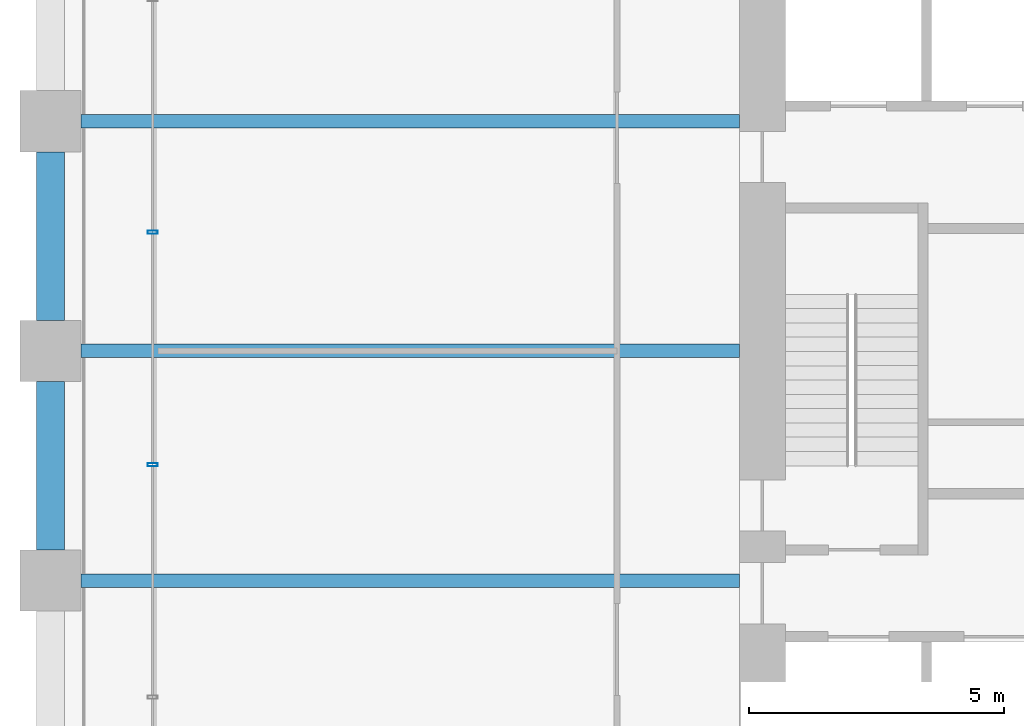
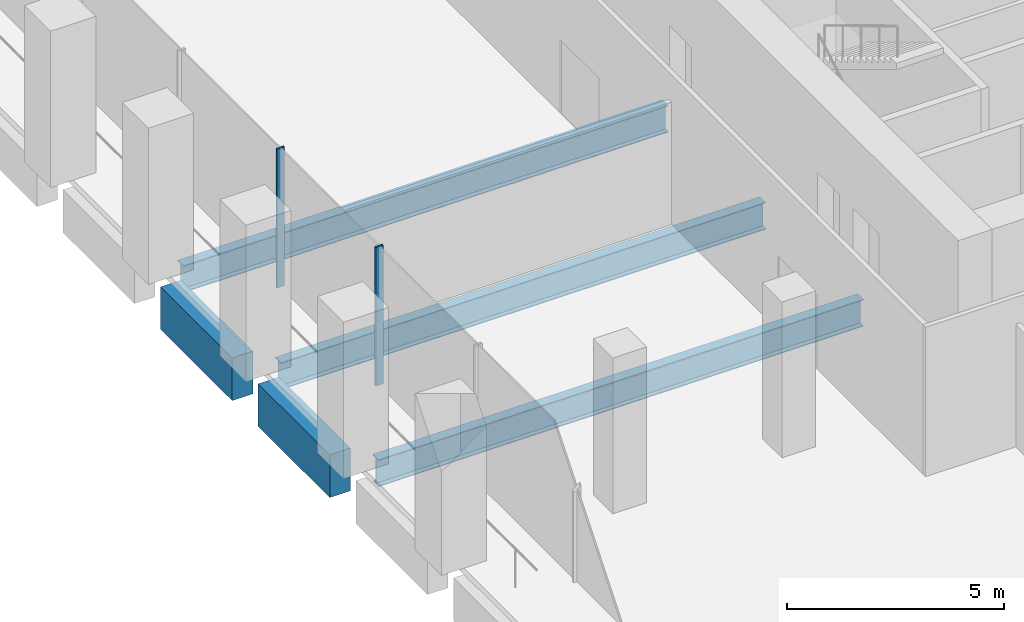
# One storey, part 7 of 36: 5 beams, 2 members, 1 element without a shape of its own.
"""IFC4 building model written with IfcOpenShell, lengths in metres."""

from ifc_helpers import new_model, si_unit, direction, frame, origin, origin_2d, place, context, subcontext, project, spatial, rectangle, hollow_rectangle, i_section, extrude, material, material_profile, profile_set, type_object, element, aggregate, save


model = new_model("IFC4")

# Units and contexts
model_context = context("Model", 3, precision=1e-05, world=origin(), true_north=direction((0.0, 1.0)))
body_context = subcontext(model_context, "Body", "Model", "MODEL_VIEW")
ifc_project = project(units=[si_unit("LENGTHUNIT", "METRE"), si_unit("AREAUNIT", "SQUARE_METRE"), si_unit("VOLUMEUNIT", "CUBIC_METRE"), si_unit("PLANEANGLEUNIT", "RADIAN"), si_unit("MASSUNIT", "GRAM", prefix="KILO")], contexts=[model_context])

# Site, building, storey
site_placement = place(None, origin())
site = spatial("IfcSite", under=ifc_project, at=site_placement, CompositionType="ELEMENT")
building_placement = place(site_placement, origin())
building = spatial("IfcBuilding", under=site, at=building_placement, Name="Altepetl Exchange Towers", CompositionType="ELEMENT")
storey_placement = place(building_placement, frame((0.0, 0.0, 38.60009765625)))
storey = spatial("IfcBuildingStorey", under=building, at=storey_placement, Name="L08", CompositionType="ELEMENT", Elevation=38.60009765625)

# Beams
ifc_material_1 = material(Name="Steel S355", Category="steel")
ifc_material_profile_1 = material_profile(ifc_material_1, i_section(OverallWidth=0.26611328125, OverallDepth=0.758056640625, WebThickness=0.013916015625, FlangeThickness=0.019287109375, at=origin_2d()), Name="W30X108")
ifc_profile_set_1 = profile_set([ifc_material_profile_1], Name="Steel S355")
beam_type_1 = type_object("IfcBeamType", Name="Floor beam W30X108", PredefinedType="BEAM", material=ifc_profile_set_1)
for number, where, z_axis, x_axis, name in (
    (1, (27.60009765625, 45.0, -0.55419921875), (1.0, 0.0, 0.0), (0.0, 1.0, 0.0), "bm:A:L08:018"),
    (2, (27.60009765625, 49.5, -0.55419921875), (1.0, 0.0, 0.0), (0.0, 1.0, 0.0), "bm:A:L08:019"),
    (3, (27.60009765625, 54.0, -0.55419921875), (1.0, 0.0, 0.0), (0.0, 1.0, 0.0), "bm:A:L08:020"),
):
    element("IfcBeam", number, at=place(storey_placement, frame(where, z_axis=z_axis, x_axis=x_axis)), inside=storey, type_object=beam_type_1, Name=name, PredefinedType="BEAM", context=body_context, shape_type="SweptSolid", body=[
        extrude(i_section(OverallWidth=0.26611328125, OverallDepth=0.758056640625, WebThickness=0.013916015625, FlangeThickness=0.019287109375, at=origin_2d()), origin(), (0.0, 0.0, 1.0), 12.89990234375),
    ])

# Curtain wall, members
ifc_material_2 = material(Name="Aluminium 6063-T6 glazing", Category="aluminium")
curtain_wall_type = type_object("IfcCurtainWallType", Name="Trading floor glazing system", PredefinedType="NOTDEFINED", material=ifc_material_2)
curtain_wall_placement = place(storey_placement, origin())
curtain_wall = element("IfcCurtainWall", 4, at=curtain_wall_placement, inside=storey, type_object=curtain_wall_type, Name="CW2 run", PredefinedType="NOTDEFINED")
ifc_material_3 = material(Name="Aluminium 6063-T6", Category="aluminium")
ifc_material_profile_2 = material_profile(ifc_material_3, hollow_rectangle(XDim=0.06005859375, YDim=0.199951171875, WallThickness=0.0029296875, at=origin_2d()), Name="Mullion 60x200 aluminium")
ifc_profile_set_2 = profile_set([ifc_material_profile_2], Name="Aluminium 6063-T6")
member_type = type_object("IfcMemberType", Name="Mullion 60x200 aluminium", PredefinedType="MULLION", material=ifc_profile_set_2)
member_1_placement = place(storey_placement, frame((29.0, 51.82861328125, 0.0), z_axis=(0.0, 0.0, 1.0), x_axis=(0.0, -1.0, 0.0)))
member_1 = element("IfcMember", 5, at=member_1_placement, type_object=member_type, Name="MU2 mullion", PredefinedType="MULLION", context=body_context, shape_type="SweptSolid", body=[
    extrude(hollow_rectangle(XDim=0.06005859375, YDim=0.199951171875, WallThickness=0.0029296875, at=origin_2d()), origin(), (0.0, 0.0, 1.0), 3.89990234375),
])
member_2_placement = place(storey_placement, frame((29.0, 47.271484375, 0.0), z_axis=(0.0, 0.0, 1.0), x_axis=(0.0, -1.0, 0.0)))
member_2 = element("IfcMember", 6, at=member_2_placement, type_object=member_type, Name="MU2 mullion", PredefinedType="MULLION", context=body_context, shape_type="SweptSolid", body=[
    extrude(hollow_rectangle(XDim=0.06005859375, YDim=0.199951171875, WallThickness=0.0029296875, at=origin_2d()), origin(), (0.0, 0.0, 1.0), 3.89990234375),
])
aggregate(curtain_wall, [member_1, member_2])

# Beams
ifc_material_4 = material(Name="Concrete C50/60 precast with tezontle facing", Category="concrete")
ifc_material_profile_3 = material_profile(ifc_material_4, rectangle(XDim=0.550048828125, YDim=1.199951171875, at=origin_2d()), Name="550 x 1200")
ifc_profile_set_3 = profile_set([ifc_material_profile_3], Name="Concrete C50/60 precast with tezontle facing")
beam_type_2 = type_object("IfcBeamType", Name="Spandrel beam 550x1200 tezontle", PredefinedType="SPANDREL", material=ifc_profile_set_3)
for number, where, z_axis, x_axis, name in (
    (7, (27.0, 53.39990234375, -0.775146484375), (0.0, -1.0, 0.0), (1.0, 0.0, 0.0), "sp:A:L08:039"),
    (8, (27.0, 48.89990234375, -0.775146484375), (0.0, -1.0, 0.0), (1.0, 0.0, 0.0), "sp:A:L08:040"),
):
    element("IfcBeam", number, at=place(storey_placement, frame(where, z_axis=z_axis, x_axis=x_axis)), inside=storey, type_object=beam_type_2, Name=name, PredefinedType="SPANDREL", context=body_context, shape_type="SweptSolid", body=[
        extrude(rectangle(XDim=0.550048828125, YDim=1.199951171875, at=origin_2d()), origin(), (0.0, 0.0, 1.0), 3.2998046875),
    ])

save(model, "model.ifc")
